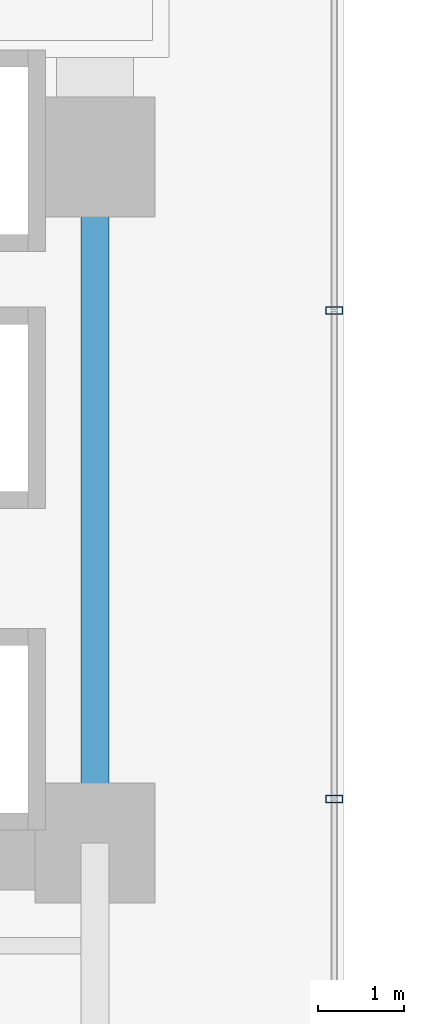
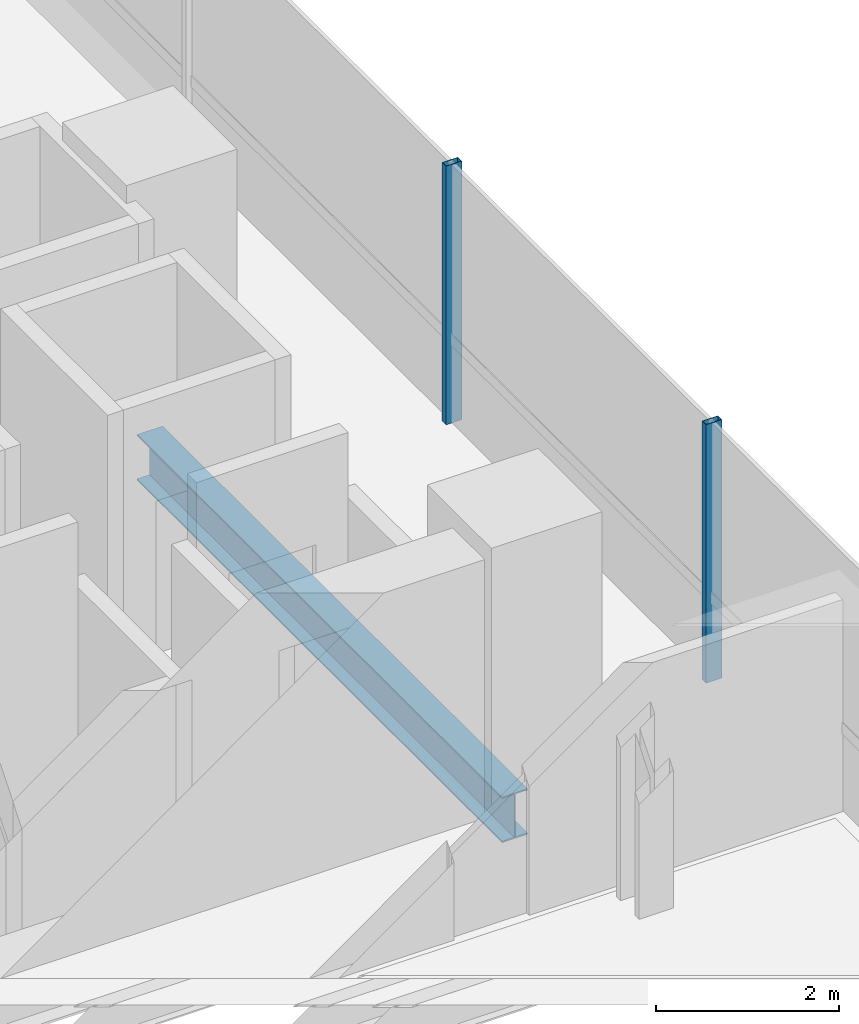
# One storey, part 6 of 40: 2 members, 1 beam, 1 element without a shape of its own.
"""IFC4 building model written with IfcOpenShell, lengths in metres."""

import ifcopenshell
import ifcopenshell.guid

model = None  # the IFC model being written
_history = None  # IfcOwnerHistory: only IFC2X3 demands one
_inside = {}  # id of a spatial element -> (the spatial element, [elements in it])
_under = {}  # id of a project, library or spatial element -> (it, [spatial elements below it])
_declared = {}  # id of a project -> (the project, [libraries it declares])
_typed = {}  # id of a type object -> (the type object, [elements of that type])
_made_of = {}  # id of a material, layer set ... -> (it, [elements and type objects made of it])


def new_model(schema):
    """Start an empty IFC model of exactly this schema.

    Asked for "IFC4X3", IfcOpenShell would pick the latest addendum, in which some entities
    have other attributes; the version numbers below select the first issue.
    IFC2X3 requires an IfcOwnerHistory on every rooted entity: one is made here for all.
    """
    global model, _history
    if schema == "IFC4X3":
        model = ifcopenshell.file(schema_version=(4, 3, 0, 0))
    else:
        model = ifcopenshell.file(schema=schema)
    _inside.clear()
    _under.clear()
    _declared.clear()
    _typed.clear()
    _made_of.clear()
    _history = None
    if model.schema == "IFC2X3":
        org = make("IfcOrganization", Name="unknown")
        user = make(
            "IfcPersonAndOrganization",
            ThePerson=make("IfcPerson", FamilyName="unknown"),
            TheOrganization=org,
        )
        app = make(
            "IfcApplication",
            ApplicationDeveloper=org,
            Version="unknown",
            ApplicationFullName="unknown",
            ApplicationIdentifier="unknown",
        )
        _history = make(
            "IfcOwnerHistory",
            OwningUser=user,
            OwningApplication=app,
            ChangeAction="ADDED",
            CreationDate=0,
        )
    return model


def make(cls, **values):
    """One entity of the class cls with the attributes given. An attribute that is None is left unset."""
    return model.create_entity(
        cls, **{name: value for name, value in values.items() if value is not None}
    )


def rooted(cls, **values):
    """An entity with a GlobalId (a new one), such as an element, a storey or a relation."""
    return make(cls, GlobalId=ifcopenshell.guid.new(), OwnerHistory=_history, **values)


def si_unit(unit_type, name, prefix=None):
    """IfcSIUnit, for example si_unit("LENGTHUNIT", "METRE", prefix="MILLI")."""
    return make("IfcSIUnit", UnitType=unit_type, Prefix=prefix, Name=name)


def assignment(units):
    """IfcUnitAssignment: the units of a project."""
    return None if units is None else make("IfcUnitAssignment", Units=units)


def point(xyz):
    """IfcCartesianPoint."""
    return None if xyz is None else make("IfcCartesianPoint", Coordinates=xyz)


def direction(xyz):
    """IfcDirection."""
    return None if xyz is None else make("IfcDirection", DirectionRatios=xyz)


def frame(location, z_axis=None, x_axis=None):
    """IfcAxis2Placement3D, a coordinate frame: its origin and axes. An axis left out is left unset."""
    return make(
        "IfcAxis2Placement3D",
        Location=point(location),
        Axis=direction(z_axis),
        RefDirection=direction(x_axis),
    )


def frame_2d(location, x_axis=None):
    """IfcAxis2Placement2D, a coordinate frame in the plane: its origin and x axis."""
    return make(
        "IfcAxis2Placement2D", Location=point(location), RefDirection=direction(x_axis)
    )


def origin():
    """The frame at (0, 0, 0) with its axes left unset."""
    return frame((0.0, 0.0, 0.0))


def origin_2d():
    """The frame at (0, 0) in the plane with its x axis left unset."""
    return frame_2d((0.0, 0.0))


def place(relative_to, where):
    """IfcLocalPlacement: puts the frame where relative to a parent placement (None: the world)."""
    return make(
        "IfcLocalPlacement", PlacementRelTo=relative_to, RelativePlacement=where
    )


def context(
    kind, dimensions, precision=None, world=None, true_north=None, identifier=None
):
    """IfcGeometricRepresentationContext, for example the 3D "Model" context."""
    return make(
        "IfcGeometricRepresentationContext",
        ContextIdentifier=identifier,
        ContextType=kind,
        CoordinateSpaceDimension=dimensions,
        Precision=precision,
        WorldCoordinateSystem=world,
        TrueNorth=true_north,
    )


def subcontext(parent, identifier, kind, view, scale=None):
    """IfcGeometricRepresentationSubContext, for example "Body" below "Model"."""
    return make(
        "IfcGeometricRepresentationSubContext",
        ContextIdentifier=identifier,
        ContextType=kind,
        ParentContext=parent,
        TargetScale=scale,
        TargetView=view,
    )


def project(units=None, contexts=None):
    """IfcProject with its units and contexts."""
    return rooted(
        "IfcProject",
        Name="project",
        RepresentationContexts=contexts,
        UnitsInContext=assignment(units),
    )


def spatial(cls, under=None, at=None, **own):
    """A site, building, storey or space (cls), placed at a placement, below another one or the project."""
    s = rooted(cls, ObjectPlacement=at, **own)
    if under is not None:
        _under.setdefault(under.id(), (under, []))[1].append(s)
    return s


def profile(cls, at=None, kind="AREA", **sizes):
    """A parametric profile (cls). Its sizes go by their IFC names, for example OverallWidth=200.0."""
    return make(cls, ProfileType=kind, Position=at, **sizes)


def hollow_rectangle(**sizes):
    """IfcRectangleHollowProfileDef."""
    return profile("IfcRectangleHollowProfileDef", **sizes)


def i_section(**sizes):
    """IfcIShapeProfileDef."""
    return profile("IfcIShapeProfileDef", **sizes)


def extrude(swept, where, along, depth):
    """IfcExtrudedAreaSolid: the profile swept, set in the frame where, extruded along a direction by depth."""
    return make(
        "IfcExtrudedAreaSolid",
        SweptArea=swept,
        Position=where,
        ExtrudedDirection=direction(along),
        Depth=depth,
    )


def shape(context_of_items, identifier, shape_type, items):
    """IfcShapeRepresentation: the items that make up one representation, for example the "Body"."""
    return make(
        "IfcShapeRepresentation",
        ContextOfItems=context_of_items,
        RepresentationIdentifier=identifier,
        RepresentationType=shape_type,
        Items=items,
    )


def source(mapping_origin, context_of_items, identifier, shape_type, items):
    """IfcRepresentationMap: a shape defined once, which mapped items show again and again."""
    return make(
        "IfcRepresentationMap",
        MappingOrigin=mapping_origin,
        MappedRepresentation=shape(context_of_items, identifier, shape_type, items),
    )


def transform(
    local_origin,
    x_axis=None,
    y_axis=None,
    z_axis=None,
    scale=None,
    scale2=None,
    scale3=None,
    uniform=True,
):
    """IfcCartesianTransformationOperator3D, or its non-uniform kind. x_axis, y_axis, z_axis: its Axis1, 2, 3."""
    if uniform:
        return make(
            "IfcCartesianTransformationOperator3D",
            Axis1=direction(x_axis),
            Axis2=direction(y_axis),
            LocalOrigin=point(local_origin),
            Scale=scale,
            Axis3=direction(z_axis),
        )
    return make(
        "IfcCartesianTransformationOperator3DnonUniform",
        Axis1=direction(x_axis),
        Axis2=direction(y_axis),
        LocalOrigin=point(local_origin),
        Scale=scale,
        Axis3=direction(z_axis),
        Scale2=scale2,
        Scale3=scale3,
    )


def mapped(mapping_source, mapping_target):
    """IfcMappedItem: shows the shape of a source again, moved by a transform."""
    return make(
        "IfcMappedItem", MappingSource=mapping_source, MappingTarget=mapping_target
    )


def material(Name=None, Category=None):
    """IfcMaterial."""
    return make("IfcMaterial", Name=Name, Category=Category)


def material_profile(
    of_material, cross_section, Name=None, Category=None, Priority=None
):
    """IfcMaterialProfile: a cross section and its material."""
    return make(
        "IfcMaterialProfile",
        Name=Name,
        Material=of_material,
        Profile=cross_section,
        Priority=Priority,
        Category=Category,
    )


def profile_set(profiles, Name=None, composite=None):
    """IfcMaterialProfileSet."""
    return make(
        "IfcMaterialProfileSet",
        Name=Name,
        MaterialProfiles=profiles,
        CompositeProfile=composite,
    )


def made_of(thing, what):
    """Note that an element or type object is made of a material, layer set ...; save() writes the relation."""
    if what is not None:
        _made_of.setdefault(what.id(), (what, []))[1].append(thing)
    return thing


def type_object(cls, material=None, **own):
    """A type object (cls), such as IfcWallType, which elements share."""
    return made_of(rooted(cls, **own), material)


def element(
    cls,
    number,
    at=None,
    inside=None,
    cuts=None,
    type_object=None,
    material=None,
    context=None,
    identifier="Body",
    shape_type=None,
    held_by="IfcProductDefinitionShape",
    body=None,
    shapes=None,
    **own,
):
    """One element of the class cls, such as IfcWall. Its Tag is "e" and its number.

    at: its placement. inside: the storey or other place that contains it. cuts: it is an
    opening in that element (IfcRelVoidsElement). A single representation is given by context,
    identifier, shape_type and body (its items); several are given by shapes. held_by: the class
    of the entity that holds the representations. save() writes the other relations.
    """
    e = rooted(cls, Tag="e%d" % number, ObjectPlacement=at, **own)
    if body is not None:
        shapes = [shape(context, identifier, shape_type, body)]
    if shapes is not None:
        e.Representation = make(held_by, Representations=shapes)
    if inside is not None:
        _inside.setdefault(inside.id(), (inside, []))[1].append(e)
    if cuts is not None:
        rooted(
            "IfcRelVoidsElement", RelatingBuildingElement=cuts, RelatedOpeningElement=e
        )
    if type_object is not None:
        _typed.setdefault(type_object.id(), (type_object, []))[1].append(e)
    return made_of(e, material)


def aggregate(whole, parts):
    """IfcRelAggregates: a whole, such as a stair, and the parts it consists of."""
    return rooted("IfcRelAggregates", RelatingObject=whole, RelatedObjects=parts)


def save(model, path):
    """Write the relations noted so far, then the file.

    IfcRelAggregates (storeys below a building ...), IfcRelContainedInSpatialStructure (elements
    in a storey), IfcRelDefinesByType, IfcRelAssociatesMaterial and IfcRelDeclares: one each for
    every whole, place, type object, material and project.
    """
    for whole, parts in _under.values():
        aggregate(whole, parts)
    for where, things in _inside.values():
        rooted(
            "IfcRelContainedInSpatialStructure",
            RelatedElements=things,
            RelatingStructure=where,
        )
    for kind, things in _typed.values():
        rooted("IfcRelDefinesByType", RelatedObjects=things, RelatingType=kind)
    for what, things in _made_of.values():
        rooted("IfcRelAssociatesMaterial", RelatedObjects=things, RelatingMaterial=what)
    for by, libraries in _declared.values():
        rooted("IfcRelDeclares", RelatingContext=by, RelatedDefinitions=libraries)
    model.write(path)


model = new_model("IFC4")

# Units and contexts
model_context = context("Model", 3, precision=1e-05, world=origin(), true_north=direction((0.0, 1.0)))
body_context = subcontext(model_context, "Body", "Model", "MODEL_VIEW")
ifc_project = project(units=[si_unit("LENGTHUNIT", "METRE"), si_unit("AREAUNIT", "SQUARE_METRE"), si_unit("VOLUMEUNIT", "CUBIC_METRE"), si_unit("PLANEANGLEUNIT", "RADIAN"), si_unit("MASSUNIT", "GRAM", prefix="KILO")], contexts=[model_context])

# Site, building, storey
site_placement = place(None, origin())
site = spatial("IfcSite", under=ifc_project, at=site_placement, CompositionType="ELEMENT")
building_placement = place(site_placement, origin())
building = spatial("IfcBuilding", under=site, at=building_placement, Name="Valdorenza Pilgrim Sanctuary Tower", CompositionType="ELEMENT")
storey_placement = place(building_placement, frame((0.0, 0.0, 40.800048828125)))
storey = spatial("IfcBuildingStorey", under=building, at=storey_placement, Name="L09", CompositionType="ELEMENT", Elevation=40.800048828125)

# Beam
ifc_material_1 = material(Name="Steel ASTM A992 Grade 50", Category="steel")
ifc_material_profile_1 = material_profile(ifc_material_1, i_section(OverallWidth=0.323974609375, OverallDepth=0.611083984375, WebThickness=0.0126953125, FlangeThickness=0.01904296875, at=origin_2d()), Name="W24X104")
ifc_profile_set_1 = profile_set([ifc_material_profile_1], Name="Steel ASTM A992 Grade 50")
beam_type = type_object("IfcBeamType", Name="STR-BM-GRD-W24B", PredefinedType="BEAM", material=ifc_profile_set_1)
shared_shape_1 = source(origin(), body_context, "Body", "SweptSolid", [
    extrude(i_section(OverallWidth=0.323974609375, OverallDepth=0.611083984375, WebThickness=0.0126953125, FlangeThickness=0.01904296875, at=origin_2d()), origin(), (0.0, 0.0, 1.0), 8.0),
])
beam_placement = place(storey_placement, frame((-12.39990234375, -10.60009765625, -0.545654296875), z_axis=(0.0, 1.0, 0.0), x_axis=(-1.0, 0.0, 0.0)))
element("IfcBeam", 1, at=beam_placement, inside=storey, type_object=beam_type, Name="L09 Core Tie Girder CA-E-S1M0", PredefinedType="BEAM", context=body_context, shape_type="MappedRepresentation", body=[
    mapped(shared_shape_1, transform((0.0, 0.0, 0.0), x_axis=(1.0, 0.0, 0.0), y_axis=(0.0, 1.0, 0.0), z_axis=(0.0, 0.0, 1.0), scale=1.0)),
])

# Curtain wall, members
ifc_material_2 = material(Name="Curtain-wall IGU glazing", Category="glass")
curtain_wall_type = type_object("IfcCurtainWallType", Name="CW-SYS-02", PredefinedType="NOTDEFINED", material=ifc_material_2)
curtain_wall_placement = place(storey_placement, origin())
curtain_wall = element("IfcCurtainWall", 2, at=curtain_wall_placement, inside=storey, type_object=curtain_wall_type, Name="L09 Curtain Wall CW-L09-1-41", PredefinedType="NOTDEFINED")
ifc_material_3 = material(Name="Anodised aluminium AW-6060", Category="aluminium")
ifc_material_profile_2 = material_profile(ifc_material_3, hollow_rectangle(XDim=0.0849609375, YDim=0.199951171875, WallThickness=0.0048828125, at=origin_2d()), Name="ALU-M 200x85x5")
ifc_profile_set_2 = profile_set([ifc_material_profile_2], Name="Anodised aluminium AW-6060")
member_type = type_object("IfcMemberType", Name="CW-MUL-02", PredefinedType="MULLION", material=ifc_profile_set_2)
shared_shape_2 = source(origin(), body_context, "Body", "SweptSolid", [
    extrude(hollow_rectangle(XDim=0.0849609375, YDim=0.199951171875, WallThickness=0.0048828125, at=origin_2d()), origin(), (0.0, 0.0, 1.0), 3.4599609375),
])
member_1_placement = place(storey_placement, frame((-9.610107421875, -4.38916015625, 0.0), z_axis=(0.0, 0.0, 1.0), x_axis=(0.0, -1.0, 0.0)))
member_1 = element("IfcMember", 3, at=member_1_placement, type_object=member_type, Name="CW-L09-1-41 Mullion 3", PredefinedType="MULLION", context=body_context, shape_type="MappedRepresentation", body=[
    mapped(shared_shape_2, transform((0.0, 0.0, 0.0), x_axis=(1.0, 0.0, 0.0), y_axis=(0.0, 1.0, 0.0), z_axis=(0.0, 0.0, 1.0), scale=1.0)),
])
member_2_placement = place(storey_placement, frame((-9.610107421875, -10.089111328125, 0.0), z_axis=(0.0, 0.0, 1.0), x_axis=(0.0, -1.0, 0.0)))
member_2 = element("IfcMember", 4, at=member_2_placement, type_object=member_type, Name="CW-L09-1-41 Mullion 4", PredefinedType="MULLION", context=body_context, shape_type="MappedRepresentation", body=[
    mapped(shared_shape_2, transform((0.0, 0.0, 0.0), x_axis=(1.0, 0.0, 0.0), y_axis=(0.0, 1.0, 0.0), z_axis=(0.0, 0.0, 1.0), scale=1.0)),
])
aggregate(curtain_wall, [member_1, member_2])

save(model, "model.ifc")
